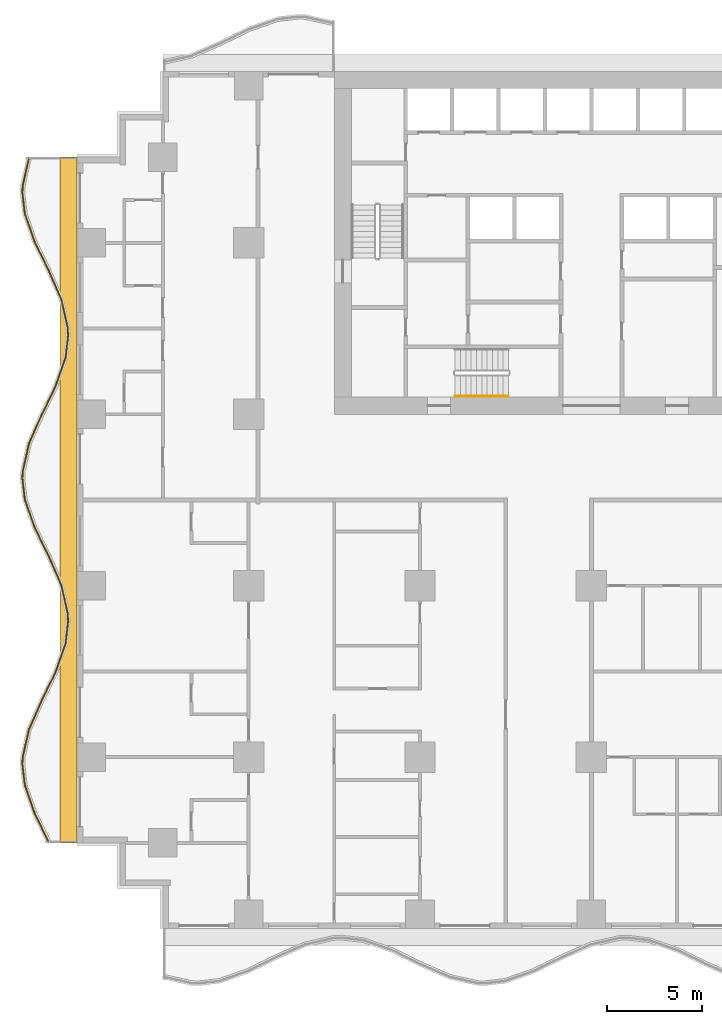
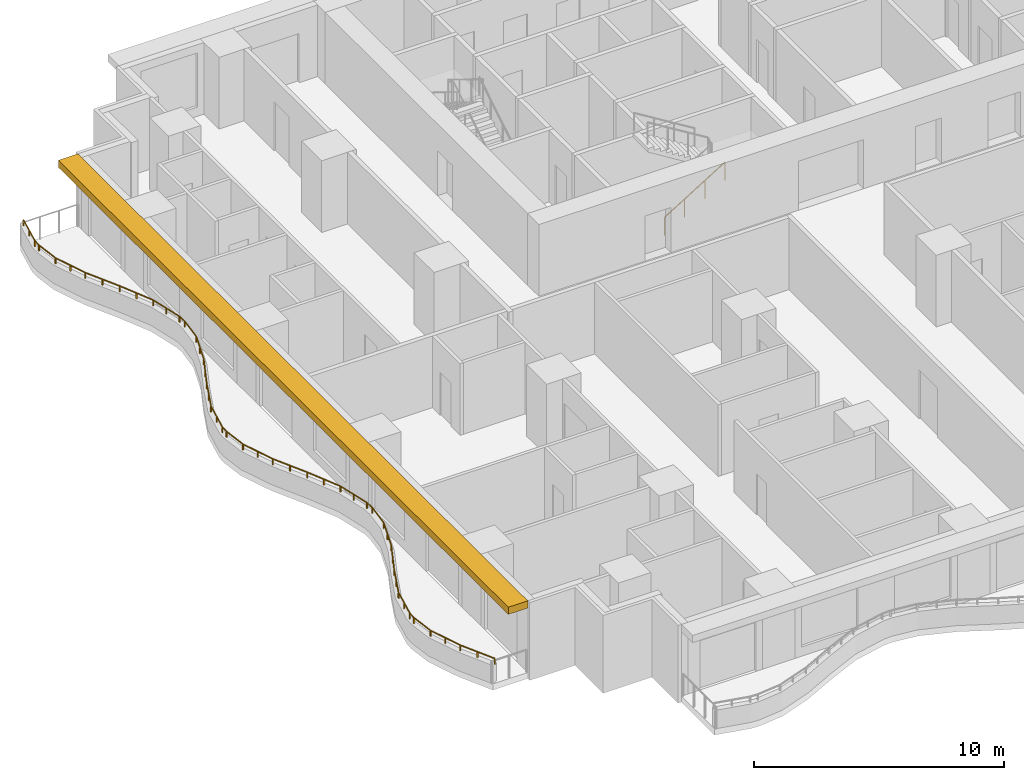
# One storey, part 9 of 14: 2 railings, 1 shading device.
"""IFC4 building model written with IfcOpenShell, lengths in metres."""

from ifc_helpers import new_model, si_unit, direction, frame, origin, origin_2d, place, context, subcontext, project, spatial, polyline, rectangle, circle, outline, extrude, material, layer, layer_set, type_object, element, save


model = new_model("IFC4")

# Units and contexts
model_context = context("Model", 3, precision=1e-05, world=origin(), true_north=direction((0.0, 1.0)))
body_context = subcontext(model_context, "Body", "Model", "MODEL_VIEW")
ifc_project = project(units=[si_unit("LENGTHUNIT", "METRE"), si_unit("AREAUNIT", "SQUARE_METRE"), si_unit("VOLUMEUNIT", "CUBIC_METRE"), si_unit("PLANEANGLEUNIT", "RADIAN"), si_unit("MASSUNIT", "GRAM", prefix="KILO")], contexts=[model_context])

# Site, building, storey
site_placement = place(None, origin())
site = spatial("IfcSite", under=ifc_project, at=site_placement, CompositionType="ELEMENT")
building_placement = place(site_placement, origin())
building = spatial("IfcBuilding", under=site, at=building_placement, Name="Orbiselva Terraces", CompositionType="ELEMENT")
storey_placement = place(building_placement, frame((0.0, 0.0, 18.8)))
storey = spatial("IfcBuildingStorey", under=building, at=storey_placement, Name="L04", CompositionType="ELEMENT", Elevation=18.8)

# Railings
ifc_material_1 = material(Name="Stainless steel", Category="steel")
railing_type_1 = type_object("IfcRailingType", Name="CORE-HANDRAIL-900", PredefinedType="HANDRAIL", material=ifc_material_1)
railing_1_placement = place(storey_placement, frame((-7.15, 5.45, 0.172727)))
element("IfcRailing", 1, at=railing_1_placement, inside=storey, type_object=railing_type_1, Name="L04 S3 stair handrail 1", PredefinedType="HANDRAIL", context=body_context, shape_type="SweptSolid", body=[
    extrude(circle(Radius=0.024, at=origin_2d()), frame((0.0, 0.0, 0.876), z_axis=(0.851088519012, 0.0, 0.52502222125), x_axis=(0.0, 1.0, 0.0)), (0.0, 0.0, 1.0), 3.289905),
    extrude(circle(Radius=0.021, at=origin_2d()), origin(), (0.0, 0.0, 1.0), 0.852),
    extrude(circle(Radius=0.021, at=origin_2d()), frame((0.933333, 0.0, 0.575758)), (0.0, 0.0, 1.0), 0.852),
    extrude(circle(Radius=0.021, at=origin_2d()), frame((1.866667, 0.0, 1.151515)), (0.0, 0.0, 1.0), 0.852),
    extrude(circle(Radius=0.021, at=origin_2d()), frame((2.8, 0.0, 1.727273)), (0.0, 0.0, 1.0), 0.852),
])
ifc_material_2 = material(Name="Bonded two-ply safety glass balustrade, stainless steel posts", Category="steel")
railing_type_2 = type_object("IfcRailingType", Name="ENV-BALUSTRADE-1200", PredefinedType="BALUSTRADE", material=ifc_material_2)
railing_2_placement = place(storey_placement, frame((-29.526563, 17.972623, 0.9)))
element("IfcRailing", 2, at=railing_2_placement, inside=storey, type_object=railing_type_2, Name="Balcony balustrade L04 W", PredefinedType="BALUSTRADE", context=body_context, shape_type="SweptSolid", body=[
    extrude(outline(polyline([(0.028868, 0.0), (0.014434, 0.025), (-0.014434, 0.025), (-0.028868, 0.0), (-0.014434, -0.025), (0.014434, -0.025), (0.028868, 0.0)])), frame((0.0, 0.0, 0.275), z_axis=(-0.21901575501, -0.975721322437, 0.0), x_axis=(0.975721322437, -0.21901575501, 0.0)), (0.0, 0.0, 1.0), 1.525954),
    extrude(outline(polyline([(0.028868, 0.0), (0.014434, 0.025), (-0.014434, 0.025), (-0.028868, 0.0), (-0.014434, -0.025), (0.014434, -0.025), (0.028868, 0.0)])), frame((-0.334208, -1.488906, 0.275), z_axis=(-0.039364150694, -0.999224931454, 0.0), x_axis=(0.999224931454, -0.039364150694, 0.0)), (0.0, 0.0, 1.0), 0.354206),
    extrude(outline(polyline([(0.028868, 0.0), (0.014434, 0.025), (-0.014434, 0.025), (-0.028868, 0.0), (-0.014434, -0.025), (0.014434, -0.025), (0.028868, 0.0)])), frame((-0.348151, -1.842837, 0.275), z_axis=(0.115481264762, -0.993309658409, 0.0), x_axis=(0.993309658409, 0.115481264762, 0.0)), (0.0, 0.0, 1.0), 1.10902),
    extrude(outline(polyline([(0.028868, 0.0), (0.014434, 0.025), (-0.014434, 0.025), (-0.028868, 0.0), (-0.014434, -0.025), (0.014434, -0.025), (0.028868, 0.0)])), frame((-0.22008, -2.944437, 0.275), z_axis=(0.330024754707, -0.943972277814, 0.0), x_axis=(0.943972277814, 0.330024754707, 0.0)), (0.0, 0.0, 1.0), 1.567807),
    extrude(outline(polyline([(0.028868, 0.0), (0.014434, 0.025), (-0.014434, 0.025), (-0.028868, 0.0), (-0.014434, -0.025), (0.014434, -0.025), (0.028868, 0.0)])), frame((0.297335, -4.424403, 0.275), z_axis=(0.438811978768, -0.89857890432, 0.0), x_axis=(0.89857890432, 0.438811978768, 0.0)), (0.0, 0.0, 1.0), 1.66438),
    extrude(outline(polyline([(0.028868, 0.0), (0.014434, 0.025), (-0.014434, 0.025), (-0.028868, 0.0), (-0.014434, -0.025), (0.014434, -0.025), (0.028868, 0.0)])), frame((1.027685, -5.91998, 0.275), z_axis=(0.403150874148, -0.915133527237, 0.0), x_axis=(0.915133527237, 0.403150874148, 0.0)), (0.0, 0.0, 1.0), 1.653736),
    extrude(outline(polyline([(0.028868, 0.0), (0.014434, 0.025), (-0.014434, 0.025), (-0.028868, 0.0), (-0.014434, -0.025), (0.014434, -0.025), (0.028868, 0.0)])), frame((1.69439, -7.433369, 0.275), z_axis=(0.219015500924, -0.97572137947, 0.0), x_axis=(0.97572137947, 0.219015500924, 0.0)), (0.0, 0.0, 1.0), 1.560867),
    extrude(outline(polyline([(0.028868, 0.0), (0.014434, 0.025), (-0.014434, 0.025), (-0.028868, 0.0), (-0.014434, -0.025), (0.014434, -0.025), (0.028868, 0.0)])), frame((2.036244, -8.95634, 0.275), z_axis=(0.03936915532, -0.999224734286, 0.0), x_axis=(0.999224734286, 0.03936915532, 0.0)), (0.0, 0.0, 1.0), 0.396376),
    extrude(outline(polyline([(0.028868, 0.0), (0.014434, 0.025), (-0.014434, 0.025), (-0.028868, 0.0), (-0.014434, -0.025), (0.014434, -0.025), (0.028868, 0.0)])), frame((2.051849, -9.352409, 0.275), z_axis=(-0.115482182324, -0.993309551734, 0.0), x_axis=(0.993309551734, -0.115482182324, 0.0)), (0.0, 0.0, 1.0), 1.156135),
    extrude(outline(polyline([(0.028868, 0.0), (0.014434, 0.025), (-0.014434, 0.025), (-0.028868, 0.0), (-0.014434, -0.025), (0.014434, -0.025), (0.028868, 0.0)])), frame((1.918336, -10.500809, 0.275), z_axis=(-0.330024597479, -0.943972332783, 0.0), x_axis=(0.943972332783, -0.330024597479, 0.0)), (0.0, 0.0, 1.0), 1.610253),
    extrude(outline(polyline([(0.028868, 0.0), (0.014434, 0.025), (-0.014434, 0.025), (-0.028868, 0.0), (-0.014434, -0.025), (0.014434, -0.025), (0.028868, 0.0)])), frame((1.386913, -12.020843, 0.275), z_axis=(-0.438812048596, -0.898578870221, 0.0), x_axis=(0.898578870221, -0.438812048596, 0.0)), (0.0, 0.0, 1.0), 1.674225),
    extrude(outline(polyline([(0.028868, 0.0), (0.014434, 0.025), (-0.014434, 0.025), (-0.028868, 0.0), (-0.014434, -0.025), (0.014434, -0.025), (0.028868, 0.0)])), frame((0.652243, -13.525266, 0.275), z_axis=(-0.403151245402, -0.915133363686, 0.0), x_axis=(0.915133363686, -0.403151245402, 0.0)), (0.0, 0.0, 1.0), 1.624475),
    extrude(outline(polyline([(0.028868, 0.0), (0.014434, 0.025), (-0.014434, 0.025), (-0.028868, 0.0), (-0.014434, -0.025), (0.014434, -0.025), (0.028868, 0.0)])), frame((-0.002666, -15.011877, 0.275), z_axis=(-0.219015740235, -0.975721325753, 0.0), x_axis=(0.975721325753, -0.219015740235, 0.0)), (0.0, 0.0, 1.0), 1.513782),
    extrude(outline(polyline([(0.028868, 0.0), (0.014434, 0.025), (-0.014434, 0.025), (-0.028868, 0.0), (-0.014434, -0.025), (0.014434, -0.025), (0.028868, 0.0)])), frame((-0.334208, -16.488906, 0.275), z_axis=(-0.039364150694, -0.999224931454, 0.0), x_axis=(0.999224931454, -0.039364150694, 0.0)), (0.0, 0.0, 1.0), 0.354206),
    extrude(outline(polyline([(0.028868, 0.0), (0.014434, 0.025), (-0.014434, 0.025), (-0.028868, 0.0), (-0.014434, -0.025), (0.014434, -0.025), (0.028868, 0.0)])), frame((-0.348151, -16.842837, 0.275), z_axis=(0.115481264762, -0.993309658409, 0.0), x_axis=(0.993309658409, 0.115481264762, 0.0)), (0.0, 0.0, 1.0), 1.10902),
    extrude(outline(polyline([(0.028868, 0.0), (0.014434, 0.025), (-0.014434, 0.025), (-0.028868, 0.0), (-0.014434, -0.025), (0.014434, -0.025), (0.028868, 0.0)])), frame((-0.22008, -17.944437, 0.275), z_axis=(0.330024754707, -0.943972277814, 0.0), x_axis=(0.943972277814, 0.330024754707, 0.0)), (0.0, 0.0, 1.0), 1.567807),
    extrude(outline(polyline([(0.028868, 0.0), (0.014434, 0.025), (-0.014434, 0.025), (-0.028868, 0.0), (-0.014434, -0.025), (0.014434, -0.025), (0.028868, 0.0)])), frame((0.297335, -19.424403, 0.275), z_axis=(0.438811978768, -0.89857890432, 0.0), x_axis=(0.89857890432, 0.438811978768, 0.0)), (0.0, 0.0, 1.0), 1.66438),
    extrude(outline(polyline([(0.028868, 0.0), (0.014434, 0.025), (-0.014434, 0.025), (-0.028868, 0.0), (-0.014434, -0.025), (0.014434, -0.025), (0.028868, 0.0)])), frame((1.027685, -20.91998, 0.275), z_axis=(0.403150874148, -0.915133527237, 0.0), x_axis=(0.915133527237, 0.403150874148, 0.0)), (0.0, 0.0, 1.0), 1.653736),
    extrude(outline(polyline([(0.028868, 0.0), (0.014434, 0.025), (-0.014434, 0.025), (-0.028868, 0.0), (-0.014434, -0.025), (0.014434, -0.025), (0.028868, 0.0)])), frame((1.69439, -22.433369, 0.275), z_axis=(0.219015500924, -0.97572137947, 0.0), x_axis=(0.97572137947, 0.219015500924, 0.0)), (0.0, 0.0, 1.0), 1.560867),
    extrude(outline(polyline([(0.028868, 0.0), (0.014434, 0.025), (-0.014434, 0.025), (-0.028868, 0.0), (-0.014434, -0.025), (0.014434, -0.025), (0.028868, 0.0)])), frame((2.036244, -23.95634, 0.275), z_axis=(0.03936915532, -0.999224734286, 0.0), x_axis=(0.999224734286, 0.03936915532, 0.0)), (0.0, 0.0, 1.0), 0.396376),
    extrude(outline(polyline([(0.028868, 0.0), (0.014434, 0.025), (-0.014434, 0.025), (-0.028868, 0.0), (-0.014434, -0.025), (0.014434, -0.025), (0.028868, 0.0)])), frame((2.051849, -24.352409, 0.275), z_axis=(-0.115482182324, -0.993309551734, 0.0), x_axis=(0.993309551734, -0.115482182324, 0.0)), (0.0, 0.0, 1.0), 1.156135),
    extrude(outline(polyline([(0.028868, 0.0), (0.014434, 0.025), (-0.014434, 0.025), (-0.028868, 0.0), (-0.014434, -0.025), (0.014434, -0.025), (0.028868, 0.0)])), frame((1.918336, -25.500809, 0.275), z_axis=(-0.330024597479, -0.943972332783, 0.0), x_axis=(0.943972332783, -0.330024597479, 0.0)), (0.0, 0.0, 1.0), 1.610253),
    extrude(outline(polyline([(0.028868, 0.0), (0.014434, 0.025), (-0.014434, 0.025), (-0.028868, 0.0), (-0.014434, -0.025), (0.014434, -0.025), (0.028868, 0.0)])), frame((1.386913, -27.020843, 0.275), z_axis=(-0.438812048596, -0.898578870221, 0.0), x_axis=(0.898578870221, -0.438812048596, 0.0)), (0.0, 0.0, 1.0), 1.674225),
    extrude(outline(polyline([(0.028868, 0.0), (0.014434, 0.025), (-0.014434, 0.025), (-0.028868, 0.0), (-0.014434, -0.025), (0.014434, -0.025), (0.028868, 0.0)])), frame((0.652243, -28.525266, 0.275), z_axis=(-0.403151245402, -0.915133363686, 0.0), x_axis=(0.915133363686, -0.403151245402, 0.0)), (0.0, 0.0, 1.0), 1.624475),
    extrude(outline(polyline([(0.028868, 0.0), (0.014434, 0.025), (-0.014434, 0.025), (-0.028868, 0.0), (-0.014434, -0.025), (0.014434, -0.025), (0.028868, 0.0)])), frame((-0.002666, -30.011877, 0.275), z_axis=(-0.219015740235, -0.975721325753, 0.0), x_axis=(0.975721325753, -0.219015740235, 0.0)), (0.0, 0.0, 1.0), 1.513782),
    extrude(outline(polyline([(0.028868, 0.0), (0.014434, 0.025), (-0.014434, 0.025), (-0.028868, 0.0), (-0.014434, -0.025), (0.014434, -0.025), (0.028868, 0.0)])), frame((-0.334208, -31.488906, 0.275), z_axis=(-0.039364150694, -0.999224931454, 0.0), x_axis=(0.999224931454, -0.039364150694, 0.0)), (0.0, 0.0, 1.0), 0.354206),
    extrude(outline(polyline([(0.028868, 0.0), (0.014434, 0.025), (-0.014434, 0.025), (-0.028868, 0.0), (-0.014434, -0.025), (0.014434, -0.025), (0.028868, 0.0)])), frame((-0.348151, -31.842837, 0.275), z_axis=(0.115481264762, -0.993309658409, 0.0), x_axis=(0.993309658409, 0.115481264762, 0.0)), (0.0, 0.0, 1.0), 1.10902),
    extrude(outline(polyline([(0.028868, 0.0), (0.014434, 0.025), (-0.014434, 0.025), (-0.028868, 0.0), (-0.014434, -0.025), (0.014434, -0.025), (0.028868, 0.0)])), frame((-0.22008, -32.944437, 0.275), z_axis=(0.330024754707, -0.943972277814, 0.0), x_axis=(0.943972277814, 0.330024754707, 0.0)), (0.0, 0.0, 1.0), 1.567807),
    extrude(outline(polyline([(0.028868, 0.0), (0.014434, 0.025), (-0.014434, 0.025), (-0.028868, 0.0), (-0.014434, -0.025), (0.014434, -0.025), (0.028868, 0.0)])), frame((0.297335, -34.424403, 0.275), z_axis=(0.438811853882, -0.898578965307, 0.0), x_axis=(0.898578965307, 0.438811853882, 0.0)), (0.0, 0.0, 1.0), 1.661922),
    extrude(rectangle(XDim=0.05, YDim=0.05, at=origin_2d()), origin(), (0.0, 0.0, 1.0), 0.25),
    extrude(rectangle(XDim=0.05, YDim=0.05, at=origin_2d()), frame((-0.167104, -0.744453, 0.0)), (0.0, 0.0, 1.0), 0.25),
    extrude(rectangle(XDim=0.05, YDim=0.05, at=origin_2d()), frame((-0.334208, -1.488906, 0.0)), (0.0, 0.0, 1.0), 0.25),
    extrude(rectangle(XDim=0.05, YDim=0.05, at=origin_2d()), frame((-0.348151, -1.842837, 0.0)), (0.0, 0.0, 1.0), 0.25),
    extrude(rectangle(XDim=0.05, YDim=0.05, at=origin_2d()), frame((-0.22008, -2.944437, 0.0)), (0.0, 0.0, 1.0), 0.25),
    extrude(rectangle(XDim=0.05, YDim=0.05, at=origin_2d()), frame((0.038628, -3.68442, 0.0)), (0.0, 0.0, 1.0), 0.25),
    extrude(rectangle(XDim=0.05, YDim=0.05, at=origin_2d()), frame((0.297335, -4.424403, 0.0)), (0.0, 0.0, 1.0), 0.25),
    extrude(rectangle(XDim=0.05, YDim=0.05, at=origin_2d()), frame((0.66251, -5.172191, 0.0)), (0.0, 0.0, 1.0), 0.25),
    extrude(rectangle(XDim=0.05, YDim=0.05, at=origin_2d()), frame((1.027685, -5.91998, 0.0)), (0.0, 0.0, 1.0), 0.25),
    extrude(rectangle(XDim=0.05, YDim=0.05, at=origin_2d()), frame((1.361037, -6.676674, 0.0)), (0.0, 0.0, 1.0), 0.25),
    extrude(rectangle(XDim=0.05, YDim=0.05, at=origin_2d()), frame((1.69439, -7.433369, 0.0)), (0.0, 0.0, 1.0), 0.25),
    extrude(rectangle(XDim=0.05, YDim=0.05, at=origin_2d()), frame((1.865317, -8.194854, 0.0)), (0.0, 0.0, 1.0), 0.25),
    extrude(rectangle(XDim=0.05, YDim=0.05, at=origin_2d()), frame((2.036244, -8.95634, 0.0)), (0.0, 0.0, 1.0), 0.25),
    extrude(rectangle(XDim=0.05, YDim=0.05, at=origin_2d()), frame((2.051849, -9.352409, 0.0)), (0.0, 0.0, 1.0), 0.25),
    extrude(rectangle(XDim=0.05, YDim=0.05, at=origin_2d()), frame((1.918336, -10.500809, 0.0)), (0.0, 0.0, 1.0), 0.25),
    extrude(rectangle(XDim=0.05, YDim=0.05, at=origin_2d()), frame((1.652624, -11.260826, 0.0)), (0.0, 0.0, 1.0), 0.25),
    extrude(rectangle(XDim=0.05, YDim=0.05, at=origin_2d()), frame((1.386913, -12.020843, 0.0)), (0.0, 0.0, 1.0), 0.25),
    extrude(rectangle(XDim=0.05, YDim=0.05, at=origin_2d()), frame((1.019578, -12.773054, 0.0)), (0.0, 0.0, 1.0), 0.25),
    extrude(rectangle(XDim=0.05, YDim=0.05, at=origin_2d()), frame((0.652243, -13.525266, 0.0)), (0.0, 0.0, 1.0), 0.25),
    extrude(rectangle(XDim=0.05, YDim=0.05, at=origin_2d()), frame((0.324788, -14.268571, 0.0)), (0.0, 0.0, 1.0), 0.25),
    extrude(rectangle(XDim=0.05, YDim=0.05, at=origin_2d()), frame((-0.002666, -15.011877, 0.0)), (0.0, 0.0, 1.0), 0.25),
    extrude(rectangle(XDim=0.05, YDim=0.05, at=origin_2d()), frame((-0.168437, -15.750392, 0.0)), (0.0, 0.0, 1.0), 0.25),
    extrude(rectangle(XDim=0.05, YDim=0.05, at=origin_2d()), frame((-0.334208, -16.488906, 0.0)), (0.0, 0.0, 1.0), 0.25),
    extrude(rectangle(XDim=0.05, YDim=0.05, at=origin_2d()), frame((-0.348151, -16.842837, 0.0)), (0.0, 0.0, 1.0), 0.25),
    extrude(rectangle(XDim=0.05, YDim=0.05, at=origin_2d()), frame((-0.22008, -17.944437, 0.0)), (0.0, 0.0, 1.0), 0.25),
    extrude(rectangle(XDim=0.05, YDim=0.05, at=origin_2d()), frame((0.038628, -18.68442, 0.0)), (0.0, 0.0, 1.0), 0.25),
    extrude(rectangle(XDim=0.05, YDim=0.05, at=origin_2d()), frame((0.297335, -19.424403, 0.0)), (0.0, 0.0, 1.0), 0.25),
    extrude(rectangle(XDim=0.05, YDim=0.05, at=origin_2d()), frame((0.66251, -20.172191, 0.0)), (0.0, 0.0, 1.0), 0.25),
    extrude(rectangle(XDim=0.05, YDim=0.05, at=origin_2d()), frame((1.027685, -20.91998, 0.0)), (0.0, 0.0, 1.0), 0.25),
    extrude(rectangle(XDim=0.05, YDim=0.05, at=origin_2d()), frame((1.361037, -21.676674, 0.0)), (0.0, 0.0, 1.0), 0.25),
    extrude(rectangle(XDim=0.05, YDim=0.05, at=origin_2d()), frame((1.69439, -22.433369, 0.0)), (0.0, 0.0, 1.0), 0.25),
    extrude(rectangle(XDim=0.05, YDim=0.05, at=origin_2d()), frame((1.865317, -23.194854, 0.0)), (0.0, 0.0, 1.0), 0.25),
    extrude(rectangle(XDim=0.05, YDim=0.05, at=origin_2d()), frame((2.036244, -23.95634, 0.0)), (0.0, 0.0, 1.0), 0.25),
    extrude(rectangle(XDim=0.05, YDim=0.05, at=origin_2d()), frame((2.051849, -24.352409, 0.0)), (0.0, 0.0, 1.0), 0.25),
    extrude(rectangle(XDim=0.05, YDim=0.05, at=origin_2d()), frame((1.918336, -25.500809, 0.0)), (0.0, 0.0, 1.0), 0.25),
    extrude(rectangle(XDim=0.05, YDim=0.05, at=origin_2d()), frame((1.652624, -26.260826, 0.0)), (0.0, 0.0, 1.0), 0.25),
    extrude(rectangle(XDim=0.05, YDim=0.05, at=origin_2d()), frame((1.386913, -27.020843, 0.0)), (0.0, 0.0, 1.0), 0.25),
    extrude(rectangle(XDim=0.05, YDim=0.05, at=origin_2d()), frame((1.019578, -27.773054, 0.0)), (0.0, 0.0, 1.0), 0.25),
    extrude(rectangle(XDim=0.05, YDim=0.05, at=origin_2d()), frame((0.652243, -28.525266, 0.0)), (0.0, 0.0, 1.0), 0.25),
    extrude(rectangle(XDim=0.05, YDim=0.05, at=origin_2d()), frame((0.324788, -29.268572, 0.0)), (0.0, 0.0, 1.0), 0.25),
    extrude(rectangle(XDim=0.05, YDim=0.05, at=origin_2d()), frame((-0.002666, -30.011877, 0.0)), (0.0, 0.0, 1.0), 0.25),
    extrude(rectangle(XDim=0.05, YDim=0.05, at=origin_2d()), frame((-0.168437, -30.750392, 0.0)), (0.0, 0.0, 1.0), 0.25),
    extrude(rectangle(XDim=0.05, YDim=0.05, at=origin_2d()), frame((-0.334208, -31.488906, 0.0)), (0.0, 0.0, 1.0), 0.25),
    extrude(rectangle(XDim=0.05, YDim=0.05, at=origin_2d()), frame((-0.348151, -31.842837, 0.0)), (0.0, 0.0, 1.0), 0.25),
    extrude(rectangle(XDim=0.05, YDim=0.05, at=origin_2d()), frame((-0.22008, -32.944437, 0.0)), (0.0, 0.0, 1.0), 0.25),
    extrude(rectangle(XDim=0.05, YDim=0.05, at=origin_2d()), frame((0.038628, -33.68442, 0.0)), (0.0, 0.0, 1.0), 0.25),
    extrude(rectangle(XDim=0.05, YDim=0.05, at=origin_2d()), frame((0.297335, -34.424403, 0.0)), (0.0, 0.0, 1.0), 0.25),
    extrude(rectangle(XDim=0.05, YDim=0.05, at=origin_2d()), frame((0.661971, -35.171087, 0.0)), (0.0, 0.0, 1.0), 0.25),
    extrude(rectangle(XDim=0.05, YDim=0.05, at=origin_2d()), frame((1.026606, -35.917771, 0.0)), (0.0, 0.0, 1.0), 0.25),
])

# Shading device
ifc_material_3 = material(Name="Terracotta baguette sunshade", Category="masonry")
ifc_layer = layer(ifc_material_3, 0.35)
ifc_layer_set = layer_set([ifc_layer], Name="Terracotta baguette sunshade")
shading_device_type = type_object("IfcShadingDeviceType", Name="ENV-SUNSHADE-900x350", PredefinedType="USERDEFINED", material=ifc_layer_set)
shading_device_placement = place(storey_placement, frame((0.0, 0.0, 3.15)))
element("IfcShadingDevice", 3, at=shading_device_placement, inside=storey, type_object=shading_device_type, Name="Sunshade band L04 W", ObjectType="SUNSHADE", PredefinedType="USERDEFINED", context=body_context, shape_type="SweptSolid", body=[
    extrude(outline(polyline([(-27.9, 18.0), (-27.9, -18.0), (-27.0, -18.0), (-27.0, 18.0), (-27.9, 18.0)])), origin(), (0.0, 0.0, 1.0), 0.35),
])

save(model, "model.ifc")
